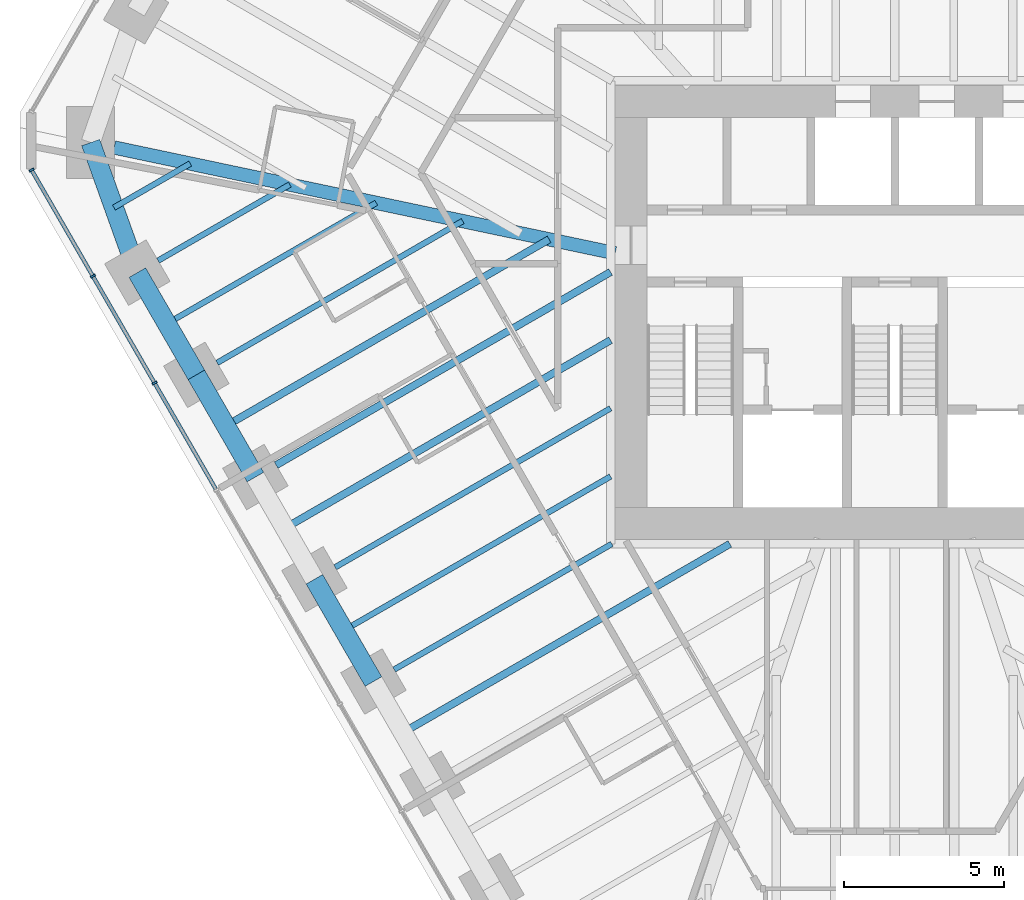
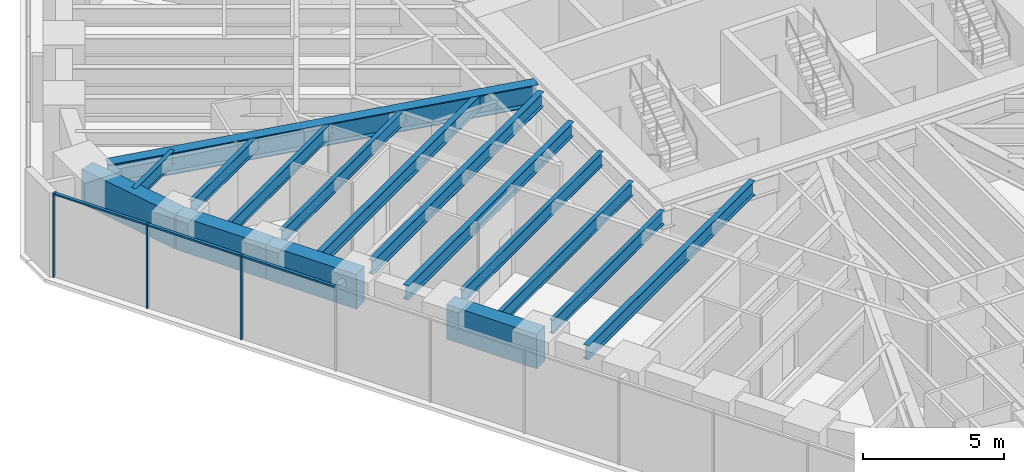
# One storey, part 3 of 17: 16 beams, 6 members, 1 element without a shape of its own.
"""IFC4 building model written with IfcOpenShell, lengths in metres."""

from ifc_helpers import new_model, si_unit, direction, frame, origin, origin_2d, place, context, subcontext, project, spatial, rectangle, i_section, extrude, material, material_profile, profile_set, type_object, element, aggregate, save


model = new_model("IFC4")

# Units and contexts
model_context = context("Model", 3, precision=1e-05, world=origin(), true_north=direction((0.0, 1.0)))
body_context = subcontext(model_context, "Body", "Model", "MODEL_VIEW")
ifc_project = project(units=[si_unit("LENGTHUNIT", "METRE"), si_unit("AREAUNIT", "SQUARE_METRE"), si_unit("VOLUMEUNIT", "CUBIC_METRE"), si_unit("PLANEANGLEUNIT", "RADIAN"), si_unit("MASSUNIT", "GRAM", prefix="KILO")], contexts=[model_context])

# Site, building, storey
site_placement = place(None, origin())
site = spatial("IfcSite", under=ifc_project, at=site_placement, CompositionType="ELEMENT")
building_placement = place(site_placement, origin())
building = spatial("IfcBuilding", under=site, at=building_placement, Name="Sandreach Pilgrim Tower", CompositionType="ELEMENT")
storey_placement = place(building_placement, frame((0.0, 0.0, 213.60009765625)))
storey = spatial("IfcBuildingStorey", under=building, at=storey_placement, Name="L53", CompositionType="ELEMENT", Elevation=213.60009765625)

# Curtain wall, members
ifc_material_1 = material(Name="Aluminium framed curtain wall", Category="aluminium")
curtain_wall_type = type_object("IfcCurtainWallType", Name="Upper hotel tower curtain wall", PredefinedType="NOTDEFINED", material=ifc_material_1)
curtain_wall_placement = place(storey_placement, origin())
curtain_wall = element("IfcCurtainWall", 1, at=curtain_wall_placement, inside=storey, type_object=curtain_wall_type, Name="CW-3 L53 SW", PredefinedType="NOTDEFINED")
ifc_material_2 = material(Name="Aluminium extrusion", Category="aluminium")
ifc_material_profile_1 = material_profile(ifc_material_2, rectangle(XDim=0.06494140625, YDim=0.159912109375, at=origin_2d()), Name="CW-3M 65X160")
ifc_profile_set_1 = profile_set([ifc_material_profile_1], Name="Aluminium extrusion")
member_type_1 = type_object("IfcMemberType", Name="CW-3 mullion", PredefinedType="MULLION", material=ifc_profile_set_1)
member_1_placement = place(storey_placement, frame((-23.15576171875, -2.21337890625, 0.0), z_axis=(0.0, 0.0, 1.0), x_axis=(-0.5, 0.866025403784, 0.0)))
member_1 = element("IfcMember", 2, at=member_1_placement, type_object=member_type_1, Name="CW-3 mullion 8", PredefinedType="MULLION", context=body_context, shape_type="SweptSolid", body=[
    extrude(rectangle(XDim=0.06494140625, YDim=0.159912109375, at=origin_2d()), origin(), (0.0, 0.0, 1.0), 3.639892578125),
])
member_2_placement = place(storey_placement, frame((-25.087890625, 1.13330078125, 0.0), z_axis=(0.0, 0.0, 1.0), x_axis=(-0.5, 0.866025403784, 0.0)))
member_2 = element("IfcMember", 3, at=member_2_placement, type_object=member_type_1, Name="CW-3 mullion 9", PredefinedType="MULLION", context=body_context, shape_type="SweptSolid", body=[
    extrude(rectangle(XDim=0.06494140625, YDim=0.159912109375, at=origin_2d()), origin(), (0.0, 0.0, 1.0), 3.639892578125),
])
member_3_placement = place(storey_placement, frame((-27.00390625, 4.451904296875, 0.0), z_axis=(0.0, 0.0, 1.0), x_axis=(-0.5, 0.866025403784, 0.0)))
member_3 = element("IfcMember", 4, at=member_3_placement, type_object=member_type_1, Name="CW-3 mullion 10", PredefinedType="MULLION", context=body_context, shape_type="SweptSolid", body=[
    extrude(rectangle(XDim=0.06494140625, YDim=0.159912109375, at=origin_2d()), origin(), (0.0, 0.0, 1.0), 3.639892578125),
])
ifc_material_3 = material(Name="Aluminium extrusion", Category="aluminium")
ifc_material_profile_2 = material_profile(ifc_material_3, rectangle(XDim=0.1201171875, YDim=0.070068359375, at=origin_2d()), Name="CW-3T 120X70")
ifc_profile_set_2 = profile_set([ifc_material_profile_2], Name="Aluminium extrusion")
member_type_2 = type_object("IfcMemberType", Name="CW-3 transom", PredefinedType="USERDEFINED", material=ifc_profile_set_2)
member_4_placement = place(storey_placement, frame((-21.23974609375, -5.531982421875, 3.60498046875), z_axis=(-0.499974606132, 0.866040064445, 0.0), x_axis=(-0.866040064445, -0.499974606132, 0.0)))
member_4 = element("IfcMember", 5, at=member_4_placement, type_object=member_type_2, Name="CW-3 head transom 7", ObjectType="TRANSOM", PredefinedType="USERDEFINED", context=body_context, shape_type="SweptSolid", body=[
    extrude(rectangle(XDim=0.1201171875, YDim=0.070068359375, at=origin_2d()), origin(), (0.0, 0.0, 1.0), 3.799560546875),
])
member_5_placement = place(storey_placement, frame((-23.171875, -2.185302734375, 3.60498046875), z_axis=(-0.500022797313, 0.86601224135, 0.0), x_axis=(-0.86601224135, -0.500022797313, 0.0)))
member_5 = element("IfcMember", 6, at=member_5_placement, type_object=member_type_2, Name="CW-3 head transom 8", ObjectType="TRANSOM", PredefinedType="USERDEFINED", context=body_context, shape_type="SweptSolid", body=[
    extrude(rectangle(XDim=0.1201171875, YDim=0.070068359375, at=origin_2d()), origin(), (0.0, 0.0, 1.0), 3.799560546875),
])
member_6_placement = place(storey_placement, frame((-25.104248046875, 1.161376953125, 3.60498046875), z_axis=(-0.499944992379, 0.86605716012, 0.0), x_axis=(-0.86605716012, -0.499944992379, 0.0)))
member_6 = element("IfcMember", 7, at=member_6_placement, type_object=member_type_2, Name="CW-3 head transom 9", ObjectType="TRANSOM", PredefinedType="USERDEFINED", context=body_context, shape_type="SweptSolid", body=[
    extrude(rectangle(XDim=0.1201171875, YDim=0.070068359375, at=origin_2d()), origin(), (0.0, 0.0, 1.0), 3.76708984375),
])
aggregate(curtain_wall, [member_1, member_2, member_3, member_4, member_5, member_6])

# Beams
ifc_material_4 = material(Name="Steel ASTM A992 Grade 50", Category="steel")
ifc_material_profile_3 = material_profile(ifc_material_4, i_section(OverallWidth=0.421630859375, OverallDepth=0.937255859375, WebThickness=0.0224609375, FlangeThickness=0.039794921875, at=origin_2d()), Name="W36X282")
ifc_profile_set_3 = profile_set([ifc_material_profile_3], Name="Steel ASTM A992 Grade 50")
beam_type_1 = type_object("IfcBeamType", Name="Corner girder W36X282", PredefinedType="BEAM", material=ifc_profile_set_3)
beam_1_placement = place(storey_placement, frame((-24.422607421875, 5.156494140625, 3.17138671875), z_axis=(0.978428978804, -0.206583478132, 0.0), x_axis=(0.206583478132, 0.978428978804, 0.0)))
element("IfcBeam", 8, at=beam_1_placement, inside=storey, type_object=beam_type_1, Name="BM L53 CG35", PredefinedType="BEAM", context=body_context, shape_type="SweptSolid", body=[
    extrude(i_section(OverallWidth=0.421630859375, OverallDepth=0.937255859375, WebThickness=0.0224609375, FlangeThickness=0.039794921875, at=origin_2d()), origin(), (0.0, 0.0, 1.0), 16.01806640625),
])
ifc_material_5 = material(Name="Steel ASTM A992 Grade 50", Category="steel")
ifc_material_profile_4 = material_profile(ifc_material_5, i_section(OverallWidth=0.1787109375, OverallDepth=0.60205078125, WebThickness=0.010986328125, FlangeThickness=0.014892578125, at=origin_2d()), Name="W24X62")
ifc_profile_set_4 = profile_set([ifc_material_profile_4], Name="Steel ASTM A992 Grade 50")
beam_type_2 = type_object("IfcBeamType", Name="Floor beam W24X62", PredefinedType="BEAM", material=ifc_profile_set_4)
beam_2_placement = place(storey_placement, frame((-15.661376953125, -11.173828125, 3.3388671875), z_axis=(0.866038711524, 0.49997694961, 0.0), x_axis=(-0.49997694961, 0.866038711524, 0.0)))
element("IfcBeam", 9, at=beam_2_placement, inside=storey, type_object=beam_type_2, Name="BM L53 F30", PredefinedType="BEAM", context=body_context, shape_type="SweptSolid", body=[
    extrude(i_section(OverallWidth=0.1787109375, OverallDepth=0.60205078125, WebThickness=0.010986328125, FlangeThickness=0.014892578125, at=origin_2d()), origin(), (0.0, 0.0, 1.0), 7.861083984375),
])
beam_3_placement = place(storey_placement, frame((-17.507568359375, -7.97607421875, 3.3388671875), z_axis=(0.866027815265, 0.499995823171, 0.0), x_axis=(-0.499995823171, 0.866027815265, 0.0)))
element("IfcBeam", 10, at=beam_3_placement, inside=storey, type_object=beam_type_2, Name="BM L53 F31", PredefinedType="BEAM", context=body_context, shape_type="SweptSolid", body=[
    extrude(i_section(OverallWidth=0.1787109375, OverallDepth=0.60205078125, WebThickness=0.010986328125, FlangeThickness=0.014892578125, at=origin_2d()), origin(), (0.0, 0.0, 1.0), 9.94677734375),
])
beam_4_placement = place(storey_placement, frame((-21.2001953125, -1.58056640625, 3.3388671875), z_axis=(0.866027448082, 0.499996459156, 0.0), x_axis=(-0.499996459156, 0.866027448082, 0.0)))
element("IfcBeam", 11, at=beam_4_placement, inside=storey, type_object=beam_type_2, Name="BM L53 F33", PredefinedType="BEAM", context=body_context, shape_type="SweptSolid", body=[
    extrude(i_section(OverallWidth=0.1787109375, OverallDepth=0.60205078125, WebThickness=0.010986328125, FlangeThickness=0.014892578125, at=origin_2d()), origin(), (0.0, 0.0, 1.0), 8.86962890625),
])
beam_5_placement = place(storey_placement, frame((-23.04638671875, 1.6171875, 3.3388671875), z_axis=(0.86603347311, 0.499986023258, 0.0), x_axis=(-0.499986023258, 0.86603347311, 0.0)))
element("IfcBeam", 12, at=beam_5_placement, inside=storey, type_object=beam_type_2, Name="BM L53 F34", PredefinedType="BEAM", context=body_context, shape_type="SweptSolid", body=[
    extrude(i_section(OverallWidth=0.1787109375, OverallDepth=0.60205078125, WebThickness=0.010986328125, FlangeThickness=0.014892578125, at=origin_2d()), origin(), (0.0, 0.0, 1.0), 4.757568359375),
])
beam_6_placement = place(storey_placement, frame((-17.23388671875, -9.949951171875, 3.3388671875), z_axis=(0.866025593094, 0.499999672107, 0.0), x_axis=(-0.499999672107, 0.866025593094, 0.0)))
element("IfcBeam", 13, at=beam_6_placement, inside=storey, type_object=beam_type_2, Name="BM L53 FM30", PredefinedType="BEAM", context=body_context, shape_type="SweptSolid", body=[
    extrude(i_section(OverallWidth=0.1787109375, OverallDepth=0.60205078125, WebThickness=0.010986328125, FlangeThickness=0.014892578125, at=origin_2d()), origin(), (0.0, 0.0, 1.0), 9.630859375),
])
beam_7_placement = place(storey_placement, frame((-22.772705078125, -0.356689453125, 3.3388671875), z_axis=(0.866029704776, 0.49999255039, 0.0), x_axis=(-0.49999255039, 0.866029704776, 0.0)))
element("IfcBeam", 14, at=beam_7_placement, inside=storey, type_object=beam_type_2, Name="BM L53 FM33", PredefinedType="BEAM", context=body_context, shape_type="SweptSolid", body=[
    extrude(i_section(OverallWidth=0.1787109375, OverallDepth=0.60205078125, WebThickness=0.010986328125, FlangeThickness=0.014892578125, at=origin_2d()), origin(), (0.0, 0.0, 1.0), 7.5634765625),
])
beam_8_placement = place(storey_placement, frame((-24.42626953125, 3.27685546875, 3.3388671875), z_axis=(0.866046803606, 0.49996293259, 0.0), x_axis=(-0.49996293259, 0.866046803606, 0.0)))
element("IfcBeam", 15, at=beam_8_placement, inside=storey, type_object=beam_type_2, Name="BM L53 FM34", PredefinedType="BEAM", context=body_context, shape_type="SweptSolid", body=[
    extrude(i_section(OverallWidth=0.1787109375, OverallDepth=0.60205078125, WebThickness=0.010986328125, FlangeThickness=0.014892578125, at=origin_2d()), origin(), (0.0, 0.0, 1.0), 2.753662109375),
])
ifc_material_6 = material(Name="Steel ASTM A992 Grade 50", Category="steel")
ifc_material_profile_5 = material_profile(ifc_material_6, i_section(OverallWidth=0.23046875, OverallDepth=0.6171875, WebThickness=0.01318359375, FlangeThickness=0.022216796875, at=origin_2d()), Name="W24X94")
ifc_profile_set_5 = profile_set([ifc_material_profile_5], Name="Steel ASTM A992 Grade 50")
beam_type_3 = type_object("IfcBeamType", Name="Floor beam W24X94", PredefinedType="BEAM", material=ifc_profile_set_5)
beam_9_placement = place(storey_placement, frame((-19.353759765625, -4.7783203125, 3.331298828125), z_axis=(0.866026713419, 0.49999773164, 0.0), x_axis=(-0.49999773164, 0.866026713419, 0.0)))
element("IfcBeam", 16, at=beam_9_placement, inside=storey, type_object=beam_type_3, Name="BM L53 F32", PredefinedType="BEAM", context=body_context, shape_type="SweptSolid", body=[
    extrude(i_section(OverallWidth=0.23046875, OverallDepth=0.6171875, WebThickness=0.01318359375, FlangeThickness=0.022216796875, at=origin_2d()), origin(), (0.0, 0.0, 1.0), 12.07861328125),
])
beam_10_placement = place(storey_placement, frame((-15.3876953125, -13.14794921875, 3.331298828125), z_axis=(0.866022050506, 0.500005808004, 0.0), x_axis=(-0.500005808004, 0.866022050506, 0.0)))
element("IfcBeam", 17, at=beam_10_placement, inside=storey, type_object=beam_type_3, Name="BM L53 FM29", PredefinedType="BEAM", context=body_context, shape_type="SweptSolid", body=[
    extrude(i_section(OverallWidth=0.23046875, OverallDepth=0.6171875, WebThickness=0.01318359375, FlangeThickness=0.022216796875, at=origin_2d()), origin(), (0.0, 0.0, 1.0), 11.808837890625),
])
beam_11_placement = place(storey_placement, frame((-19.080322265625, -6.752197265625, 3.331298828125), z_axis=(0.866030053141, 0.499991946992, 0.0), x_axis=(-0.499991946992, 0.866030053141, 0.0)))
element("IfcBeam", 18, at=beam_11_placement, inside=storey, type_object=beam_type_3, Name="BM L53 FM31", PredefinedType="BEAM", context=body_context, shape_type="SweptSolid", body=[
    extrude(i_section(OverallWidth=0.23046875, OverallDepth=0.6171875, WebThickness=0.01318359375, FlangeThickness=0.022216796875, at=origin_2d()), origin(), (0.0, 0.0, 1.0), 11.762939453125),
])
beam_12_placement = place(storey_placement, frame((-20.926513671875, -3.554443359375, 3.331298828125), z_axis=(0.866026454974, 0.499998179282, 0.0), x_axis=(-0.499998179282, 0.866026454974, 0.0)))
element("IfcBeam", 19, at=beam_12_placement, inside=storey, type_object=beam_type_3, Name="BM L53 FM32", PredefinedType="BEAM", context=body_context, shape_type="SweptSolid", body=[
    extrude(i_section(OverallWidth=0.23046875, OverallDepth=0.6171875, WebThickness=0.01318359375, FlangeThickness=0.022216796875, at=origin_2d()), origin(), (0.0, 0.0, 1.0), 11.67578125),
])
ifc_material_7 = material(Name="Concrete 10000 psi", Category="concrete")
ifc_material_profile_6 = material_profile(ifc_material_7, rectangle(XDim=0.60009765625, YDim=1.5, at=origin_2d()), Name="RC600X1500")
ifc_profile_set_6 = profile_set([ifc_material_profile_6], Name="Concrete 10000 psi")
beam_type_4 = type_object("IfcBeamType", Name="Spandrel beam RC600X1500", PredefinedType="SPANDREL", material=ifc_profile_set_6)
beam_13_placement = place(storey_placement, frame((-16.310791015625, -11.548828125, 2.889892578125), z_axis=(-0.500042951019, 0.866000604582, 0.0), x_axis=(-0.866000604582, -0.500042951019, 0.0)))
element("IfcBeam", 20, at=beam_13_placement, inside=storey, type_object=beam_type_4, Name="BM L53 SP30", PredefinedType="SPANDREL", context=body_context, shape_type="SweptSolid", body=[
    extrude(rectangle(XDim=0.60009765625, YDim=1.5, at=origin_2d()), origin(), (0.0, 0.0, 1.0), 3.692626953125),
])
for number, where, z_axis, x_axis, name in (
    (21, (-20.00341796875, -5.1533203125, 2.889892578125), (-0.499993363642, 0.866029235253, 0.0), (-0.866029235253, -0.499993363642, 0.0), "BM L53 SP32"),
    (22, (-21.849609375, -1.95556640625, 2.889892578125), (-0.499993363642, 0.866029235253, 0.0), (-0.866029235253, -0.499993363642, 0.0), "BM L53 SP33"),
):
    element("IfcBeam", number, at=place(storey_placement, frame(where, z_axis=z_axis, x_axis=x_axis)), inside=storey, type_object=beam_type_4, Name=name, PredefinedType="SPANDREL", context=body_context, shape_type="SweptSolid", body=[
        extrude(rectangle(XDim=0.60009765625, YDim=1.5, at=origin_2d()), origin(), (0.0, 0.0, 1.0), 3.6923828125),
    ])
beam_14_placement = place(storey_placement, frame((-23.69580078125, 1.2421875, 2.889892578125), z_axis=(-0.337863470932, 0.941195131208, 0.0), x_axis=(-0.941195131208, -0.337863470932, 0.0)))
element("IfcBeam", 23, at=beam_14_placement, inside=storey, type_object=beam_type_4, Name="BM L53 SP34", PredefinedType="SPANDREL", context=body_context, shape_type="SweptSolid", body=[
    extrude(rectangle(XDim=0.60009765625, YDim=1.5, at=origin_2d()), origin(), (0.0, 0.0, 1.0), 4.3232421875),
])

save(model, "model.ifc")
